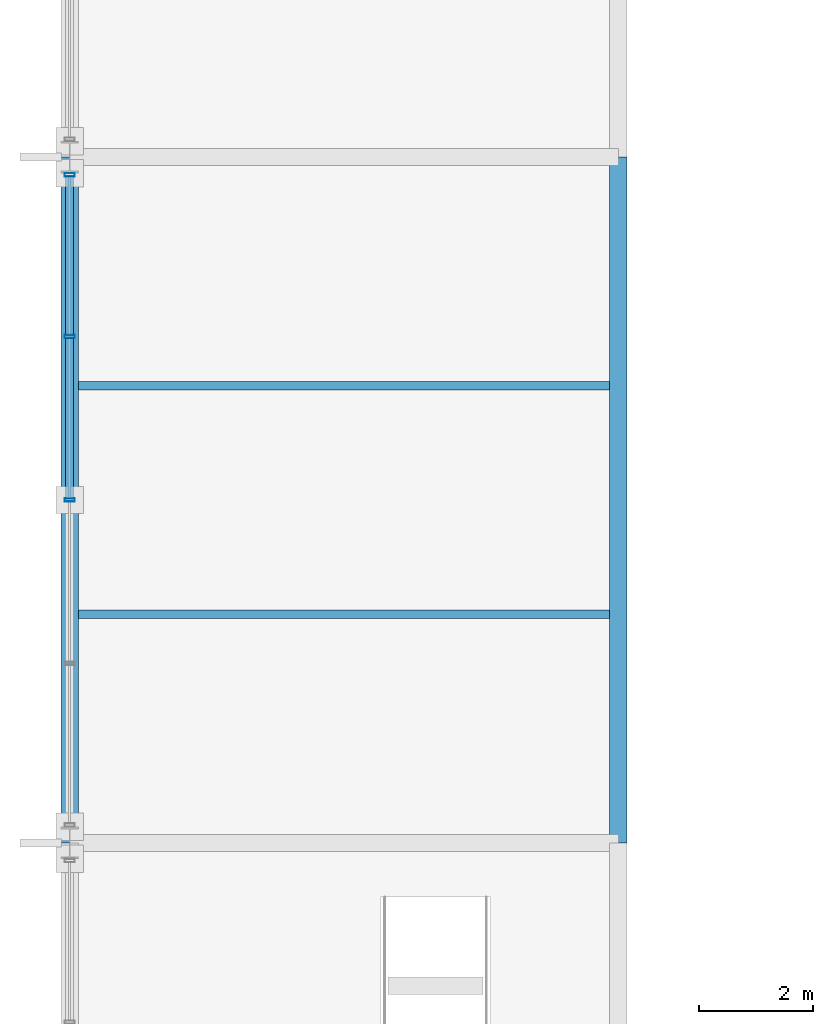
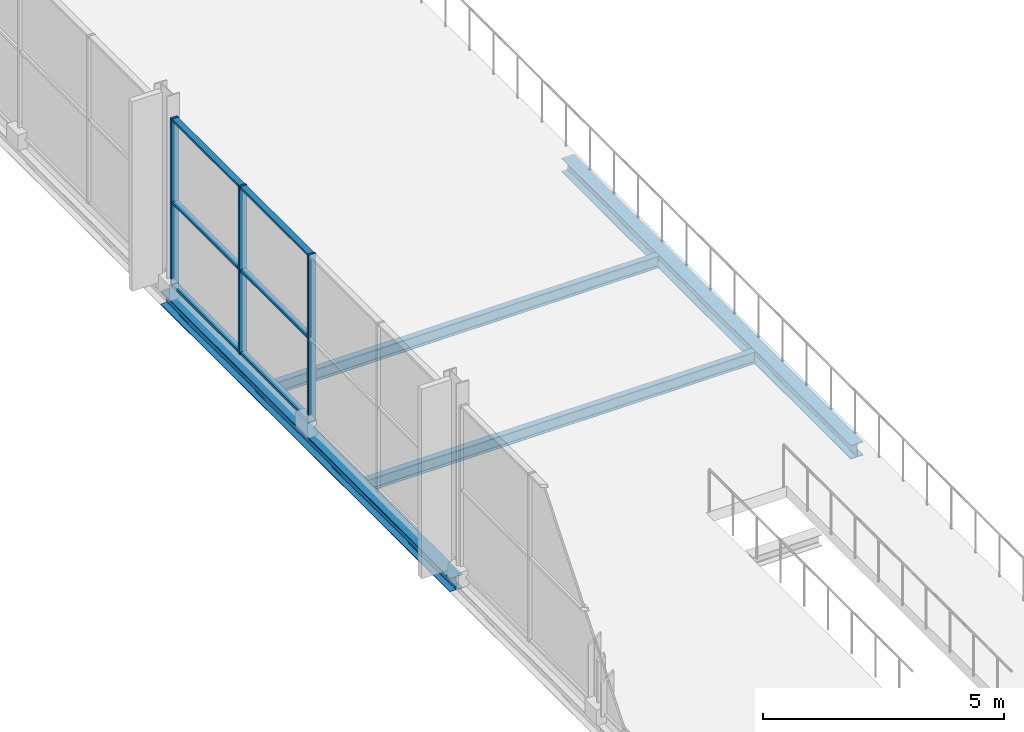
# One storey, part 36 of 159: 9 members, 4 beams, 1 element without a shape of its own.
"""IFC4 building model written with IfcOpenShell, lengths in metres."""

import ifcopenshell
import ifcopenshell.guid

model = None  # the IFC model being written
_history = None  # IfcOwnerHistory: only IFC2X3 demands one
_inside = {}  # id of a spatial element -> (the spatial element, [elements in it])
_under = {}  # id of a project, library or spatial element -> (it, [spatial elements below it])
_declared = {}  # id of a project -> (the project, [libraries it declares])
_typed = {}  # id of a type object -> (the type object, [elements of that type])
_made_of = {}  # id of a material, layer set ... -> (it, [elements and type objects made of it])


def new_model(schema):
    """Start an empty IFC model of exactly this schema.

    Asked for "IFC4X3", IfcOpenShell would pick the latest addendum, in which some entities
    have other attributes; the version numbers below select the first issue.
    IFC2X3 requires an IfcOwnerHistory on every rooted entity: one is made here for all.
    """
    global model, _history
    if schema == "IFC4X3":
        model = ifcopenshell.file(schema_version=(4, 3, 0, 0))
    else:
        model = ifcopenshell.file(schema=schema)
    _inside.clear()
    _under.clear()
    _declared.clear()
    _typed.clear()
    _made_of.clear()
    _history = None
    if model.schema == "IFC2X3":
        org = make("IfcOrganization", Name="unknown")
        user = make(
            "IfcPersonAndOrganization",
            ThePerson=make("IfcPerson", FamilyName="unknown"),
            TheOrganization=org,
        )
        app = make(
            "IfcApplication",
            ApplicationDeveloper=org,
            Version="unknown",
            ApplicationFullName="unknown",
            ApplicationIdentifier="unknown",
        )
        _history = make(
            "IfcOwnerHistory",
            OwningUser=user,
            OwningApplication=app,
            ChangeAction="ADDED",
            CreationDate=0,
        )
    return model


def make(cls, **values):
    """One entity of the class cls with the attributes given. An attribute that is None is left unset."""
    return model.create_entity(
        cls, **{name: value for name, value in values.items() if value is not None}
    )


def rooted(cls, **values):
    """An entity with a GlobalId (a new one), such as an element, a storey or a relation."""
    return make(cls, GlobalId=ifcopenshell.guid.new(), OwnerHistory=_history, **values)


def si_unit(unit_type, name, prefix=None):
    """IfcSIUnit, for example si_unit("LENGTHUNIT", "METRE", prefix="MILLI")."""
    return make("IfcSIUnit", UnitType=unit_type, Prefix=prefix, Name=name)


def assignment(units):
    """IfcUnitAssignment: the units of a project."""
    return None if units is None else make("IfcUnitAssignment", Units=units)


def point(xyz):
    """IfcCartesianPoint."""
    return None if xyz is None else make("IfcCartesianPoint", Coordinates=xyz)


def direction(xyz):
    """IfcDirection."""
    return None if xyz is None else make("IfcDirection", DirectionRatios=xyz)


def frame(location, z_axis=None, x_axis=None):
    """IfcAxis2Placement3D, a coordinate frame: its origin and axes. An axis left out is left unset."""
    return make(
        "IfcAxis2Placement3D",
        Location=point(location),
        Axis=direction(z_axis),
        RefDirection=direction(x_axis),
    )


def frame_2d(location, x_axis=None):
    """IfcAxis2Placement2D, a coordinate frame in the plane: its origin and x axis."""
    return make(
        "IfcAxis2Placement2D", Location=point(location), RefDirection=direction(x_axis)
    )


def origin():
    """The frame at (0, 0, 0) with its axes left unset."""
    return frame((0.0, 0.0, 0.0))


def origin_2d():
    """The frame at (0, 0) in the plane with its x axis left unset."""
    return frame_2d((0.0, 0.0))


def place(relative_to, where):
    """IfcLocalPlacement: puts the frame where relative to a parent placement (None: the world)."""
    return make(
        "IfcLocalPlacement", PlacementRelTo=relative_to, RelativePlacement=where
    )


def context(
    kind, dimensions, precision=None, world=None, true_north=None, identifier=None
):
    """IfcGeometricRepresentationContext, for example the 3D "Model" context."""
    return make(
        "IfcGeometricRepresentationContext",
        ContextIdentifier=identifier,
        ContextType=kind,
        CoordinateSpaceDimension=dimensions,
        Precision=precision,
        WorldCoordinateSystem=world,
        TrueNorth=true_north,
    )


def subcontext(parent, identifier, kind, view, scale=None):
    """IfcGeometricRepresentationSubContext, for example "Body" below "Model"."""
    return make(
        "IfcGeometricRepresentationSubContext",
        ContextIdentifier=identifier,
        ContextType=kind,
        ParentContext=parent,
        TargetScale=scale,
        TargetView=view,
    )


def project(units=None, contexts=None):
    """IfcProject with its units and contexts."""
    return rooted(
        "IfcProject",
        Name="project",
        RepresentationContexts=contexts,
        UnitsInContext=assignment(units),
    )


def spatial(cls, under=None, at=None, **own):
    """A site, building, storey or space (cls), placed at a placement, below another one or the project."""
    s = rooted(cls, ObjectPlacement=at, **own)
    if under is not None:
        _under.setdefault(under.id(), (under, []))[1].append(s)
    return s


def profile(cls, at=None, kind="AREA", **sizes):
    """A parametric profile (cls). Its sizes go by their IFC names, for example OverallWidth=200.0."""
    return make(cls, ProfileType=kind, Position=at, **sizes)


def hollow_rectangle(**sizes):
    """IfcRectangleHollowProfileDef."""
    return profile("IfcRectangleHollowProfileDef", **sizes)


def i_section(**sizes):
    """IfcIShapeProfileDef."""
    return profile("IfcIShapeProfileDef", **sizes)


def extrude(swept, where, along, depth):
    """IfcExtrudedAreaSolid: the profile swept, set in the frame where, extruded along a direction by depth."""
    return make(
        "IfcExtrudedAreaSolid",
        SweptArea=swept,
        Position=where,
        ExtrudedDirection=direction(along),
        Depth=depth,
    )


def shape(context_of_items, identifier, shape_type, items):
    """IfcShapeRepresentation: the items that make up one representation, for example the "Body"."""
    return make(
        "IfcShapeRepresentation",
        ContextOfItems=context_of_items,
        RepresentationIdentifier=identifier,
        RepresentationType=shape_type,
        Items=items,
    )


def material(Name=None, Category=None):
    """IfcMaterial."""
    return make("IfcMaterial", Name=Name, Category=Category)


def material_profile(
    of_material, cross_section, Name=None, Category=None, Priority=None
):
    """IfcMaterialProfile: a cross section and its material."""
    return make(
        "IfcMaterialProfile",
        Name=Name,
        Material=of_material,
        Profile=cross_section,
        Priority=Priority,
        Category=Category,
    )


def profile_set(profiles, Name=None, composite=None):
    """IfcMaterialProfileSet."""
    return make(
        "IfcMaterialProfileSet",
        Name=Name,
        MaterialProfiles=profiles,
        CompositeProfile=composite,
    )


def made_of(thing, what):
    """Note that an element or type object is made of a material, layer set ...; save() writes the relation."""
    if what is not None:
        _made_of.setdefault(what.id(), (what, []))[1].append(thing)
    return thing


def type_object(cls, material=None, **own):
    """A type object (cls), such as IfcWallType, which elements share."""
    return made_of(rooted(cls, **own), material)


def element(
    cls,
    number,
    at=None,
    inside=None,
    cuts=None,
    type_object=None,
    material=None,
    context=None,
    identifier="Body",
    shape_type=None,
    held_by="IfcProductDefinitionShape",
    body=None,
    shapes=None,
    **own,
):
    """One element of the class cls, such as IfcWall. Its Tag is "e" and its number.

    at: its placement. inside: the storey or other place that contains it. cuts: it is an
    opening in that element (IfcRelVoidsElement). A single representation is given by context,
    identifier, shape_type and body (its items); several are given by shapes. held_by: the class
    of the entity that holds the representations. save() writes the other relations.
    """
    e = rooted(cls, Tag="e%d" % number, ObjectPlacement=at, **own)
    if body is not None:
        shapes = [shape(context, identifier, shape_type, body)]
    if shapes is not None:
        e.Representation = make(held_by, Representations=shapes)
    if inside is not None:
        _inside.setdefault(inside.id(), (inside, []))[1].append(e)
    if cuts is not None:
        rooted(
            "IfcRelVoidsElement", RelatingBuildingElement=cuts, RelatedOpeningElement=e
        )
    if type_object is not None:
        _typed.setdefault(type_object.id(), (type_object, []))[1].append(e)
    return made_of(e, material)


def aggregate(whole, parts):
    """IfcRelAggregates: a whole, such as a stair, and the parts it consists of."""
    return rooted("IfcRelAggregates", RelatingObject=whole, RelatedObjects=parts)


def save(model, path):
    """Write the relations noted so far, then the file.

    IfcRelAggregates (storeys below a building ...), IfcRelContainedInSpatialStructure (elements
    in a storey), IfcRelDefinesByType, IfcRelAssociatesMaterial and IfcRelDeclares: one each for
    every whole, place, type object, material and project.
    """
    for whole, parts in _under.values():
        aggregate(whole, parts)
    for where, things in _inside.values():
        rooted(
            "IfcRelContainedInSpatialStructure",
            RelatedElements=things,
            RelatingStructure=where,
        )
    for kind, things in _typed.values():
        rooted("IfcRelDefinesByType", RelatedObjects=things, RelatingType=kind)
    for what, things in _made_of.values():
        rooted("IfcRelAssociatesMaterial", RelatedObjects=things, RelatingMaterial=what)
    for by, libraries in _declared.values():
        rooted("IfcRelDeclares", RelatingContext=by, RelatedDefinitions=libraries)
    model.write(path)


model = new_model("IFC4")

# Units and contexts
model_context = context("Model", 3, precision=1e-05, world=origin(), true_north=direction((0.0, 1.0)))
body_context = subcontext(model_context, "Body", "Model", "MODEL_VIEW")
ifc_project = project(units=[si_unit("LENGTHUNIT", "METRE"), si_unit("AREAUNIT", "SQUARE_METRE"), si_unit("VOLUMEUNIT", "CUBIC_METRE"), si_unit("PLANEANGLEUNIT", "RADIAN"), si_unit("MASSUNIT", "GRAM", prefix="KILO")], contexts=[model_context])

# Site, building, storey
site_placement = place(None, origin())
site = spatial("IfcSite", under=ifc_project, at=site_placement, CompositionType="ELEMENT")
building_placement = place(site_placement, origin())
building = spatial("IfcBuilding", under=site, at=building_placement, Name="Merenkruunu Market Hall", CompositionType="ELEMENT")
storey_placement = place(building_placement, frame((0.0, 0.0, 5.39990234375)))
storey = spatial("IfcBuildingStorey", under=building, at=storey_placement, Name="L01", CompositionType="ELEMENT", Elevation=5.39990234375)

# Curtain wall, members
ifc_material_1 = material(Name="Powder-coated aluminium", Category="aluminium")
curtain_wall_type = type_object("IfcCurtainWallType", Name="Glazed Curtain Wall CW02", PredefinedType="USERDEFINED", material=ifc_material_1)
curtain_wall_placement = place(storey_placement, origin())
curtain_wall = element("IfcCurtainWall", 1, at=curtain_wall_placement, inside=storey, type_object=curtain_wall_type, Name="CW-L01-CWM02-011", ObjectType="GLAZED_FACADE", PredefinedType="USERDEFINED")
ifc_material_profile_1 = material_profile(ifc_material_1, hollow_rectangle(XDim=0.06005859375, YDim=0.179931640625, WallThickness=0.00390625, at=origin_2d()), Name="ALU 60x180x4")
ifc_profile_set_1 = profile_set([ifc_material_profile_1], Name="Powder-coated aluminium")
member_type_1 = type_object("IfcMemberType", Name="Curtain Wall Mullion CWM02", PredefinedType="MULLION", material=ifc_profile_set_1)
member_1_placement = place(storey_placement, frame((0.0, 57.60009765625, 0.0), z_axis=(0.0, 0.0, 1.0), x_axis=(0.0, 1.0, 0.0)))
member_1 = element("IfcMember", 2, at=member_1_placement, type_object=member_type_1, Name="CW02 mullion 3", PredefinedType="MULLION", context=body_context, shape_type="SweptSolid", body=[
    extrude(hollow_rectangle(XDim=0.06005859375, YDim=0.179931640625, WallThickness=0.00390625, at=origin_2d()), origin(), (0.0, 0.0, 1.0), 4.25),
])
member_2_placement = place(storey_placement, frame((0.0, 60.4599609375, 0.0), z_axis=(0.0, 0.0, 1.0), x_axis=(0.0, 1.0, 0.0)))
member_2 = element("IfcMember", 3, at=member_2_placement, type_object=member_type_1, Name="CW02 mullion 4", PredefinedType="MULLION", context=body_context, shape_type="SweptSolid", body=[
    extrude(hollow_rectangle(XDim=0.06005859375, YDim=0.179931640625, WallThickness=0.00390625, at=origin_2d()), origin(), (0.0, 0.0, 1.0), 4.25),
])
member_3_placement = place(storey_placement, frame((0.0, 63.2900390625, 0.0), z_axis=(0.0, 0.0, 1.0), x_axis=(0.0, 1.0, 0.0)))
member_3 = element("IfcMember", 4, at=member_3_placement, type_object=member_type_1, Name="CW02 mullion 5", PredefinedType="MULLION", context=body_context, shape_type="SweptSolid", body=[
    extrude(hollow_rectangle(XDim=0.06005859375, YDim=0.179931640625, WallThickness=0.00390625, at=origin_2d()), origin(), (0.0, 0.0, 1.0), 4.25),
])
ifc_material_profile_2 = material_profile(ifc_material_1, hollow_rectangle(XDim=0.06005859375, YDim=0.139892578125, WallThickness=0.00390625, at=origin_2d()), Name="ALU 60x140x4")
ifc_profile_set_2 = profile_set([ifc_material_profile_2], Name="Powder-coated aluminium")
member_type_2 = type_object("IfcMemberType", Name="Curtain Wall Transom CWT02", PredefinedType="USERDEFINED", material=ifc_profile_set_2)
member_4_placement = place(storey_placement, frame((0.0, 57.6298828125, 0.030029296875), z_axis=(0.0, 1.0, 0.0), x_axis=(0.0, 0.0, 1.0)))
member_4 = element("IfcMember", 5, at=member_4_placement, type_object=member_type_2, Name="CW02 transom 3.1", ObjectType="TRANSOM", PredefinedType="USERDEFINED", context=body_context, shape_type="SweptSolid", body=[
    extrude(hollow_rectangle(XDim=0.06005859375, YDim=0.139892578125, WallThickness=0.00390625, at=origin_2d()), origin(), (0.0, 0.0, 1.0), 2.800048828125),
])
member_5_placement = place(storey_placement, frame((0.0, 57.6298828125, 2.125), z_axis=(0.0, 1.0, 0.0), x_axis=(0.0, 0.0, 1.0)))
member_5 = element("IfcMember", 6, at=member_5_placement, type_object=member_type_2, Name="CW02 transom 3.2", ObjectType="TRANSOM", PredefinedType="USERDEFINED", context=body_context, shape_type="SweptSolid", body=[
    extrude(hollow_rectangle(XDim=0.06005859375, YDim=0.139892578125, WallThickness=0.00390625, at=origin_2d()), origin(), (0.0, 0.0, 1.0), 2.800048828125),
])
member_6_placement = place(storey_placement, frame((0.0, 57.6298828125, 4.22021484375), z_axis=(0.0, 1.0, 0.0), x_axis=(0.0, 0.0, 1.0)))
member_6 = element("IfcMember", 7, at=member_6_placement, type_object=member_type_2, Name="CW02 transom 3.3", ObjectType="TRANSOM", PredefinedType="USERDEFINED", context=body_context, shape_type="SweptSolid", body=[
    extrude(hollow_rectangle(XDim=0.06005859375, YDim=0.139892578125, WallThickness=0.00390625, at=origin_2d()), origin(), (0.0, 0.0, 1.0), 2.800048828125),
])
member_7_placement = place(storey_placement, frame((0.0, 60.489990234375, 0.030029296875), z_axis=(0.0, 1.0, 0.0), x_axis=(0.0, 0.0, 1.0)))
member_7 = element("IfcMember", 8, at=member_7_placement, type_object=member_type_2, Name="CW02 transom 4.1", ObjectType="TRANSOM", PredefinedType="USERDEFINED", context=body_context, shape_type="SweptSolid", body=[
    extrude(hollow_rectangle(XDim=0.06005859375, YDim=0.139892578125, WallThickness=0.00390625, at=origin_2d()), origin(), (0.0, 0.0, 1.0), 2.77001953125),
])
member_8_placement = place(storey_placement, frame((0.0, 60.489990234375, 2.125), z_axis=(0.0, 1.0, 0.0), x_axis=(0.0, 0.0, 1.0)))
member_8 = element("IfcMember", 9, at=member_8_placement, type_object=member_type_2, Name="CW02 transom 4.2", ObjectType="TRANSOM", PredefinedType="USERDEFINED", context=body_context, shape_type="SweptSolid", body=[
    extrude(hollow_rectangle(XDim=0.06005859375, YDim=0.139892578125, WallThickness=0.00390625, at=origin_2d()), origin(), (0.0, 0.0, 1.0), 2.77001953125),
])
member_9_placement = place(storey_placement, frame((0.0, 60.489990234375, 4.22021484375), z_axis=(0.0, 1.0, 0.0), x_axis=(0.0, 0.0, 1.0)))
member_9 = element("IfcMember", 10, at=member_9_placement, type_object=member_type_2, Name="CW02 transom 4.3", ObjectType="TRANSOM", PredefinedType="USERDEFINED", context=body_context, shape_type="SweptSolid", body=[
    extrude(hollow_rectangle(XDim=0.06005859375, YDim=0.139892578125, WallThickness=0.00390625, at=origin_2d()), origin(), (0.0, 0.0, 1.0), 2.77001953125),
])
aggregate(curtain_wall, [member_1, member_2, member_3, member_4, member_5, member_6, member_7, member_8, member_9])

# Beams
ifc_material_2 = material(Name="Steel S355J2", Category="steel")
ifc_material_profile_3 = material_profile(ifc_material_2, i_section(OverallWidth=0.300048828125, OverallDepth=0.35009765625, WebThickness=0.010009765625, FlangeThickness=0.017578125, FilletRadius=0.027099609375, at=origin_2d()), Name="HEA 360")
ifc_profile_set_3 = profile_set([ifc_material_profile_3], Name="Steel S355J2")
beam_type_1 = type_object("IfcBeamType", Name="Primary Floor Girder B08", PredefinedType="BEAM", material=ifc_profile_set_3)
for number, where, z_axis, x_axis, name in (
    (11, (0.0, 51.60009765625, -0.454833984375), (0.0, 1.0, 0.0), (-1.0, 0.0, 0.0), "BM-L01-B08-0555"),
    (12, (9.60009765625, 51.60009765625, -0.454833984375), (0.0, 1.0, 0.0), (-1.0, 0.0, 0.0), "BM-L01-B08-0563"),
):
    element("IfcBeam", number, at=place(storey_placement, frame(where, z_axis=z_axis, x_axis=x_axis)), inside=storey, type_object=beam_type_1, Name=name, PredefinedType="BEAM", context=body_context, shape_type="SweptSolid", body=[
        extrude(i_section(OverallWidth=0.300048828125, OverallDepth=0.35009765625, WebThickness=0.010009765625, FlangeThickness=0.017578125, FilletRadius=0.027099609375, at=origin_2d()), origin(), (0.0, 0.0, 1.0), 12.0),
    ])
ifc_material_profile_4 = material_profile(ifc_material_2, i_section(OverallWidth=0.14990234375, OverallDepth=0.300048828125, WebThickness=0.007080078125, FlangeThickness=0.0107421875, FilletRadius=0.014892578125, at=origin_2d()), Name="IPE 300")
ifc_profile_set_4 = profile_set([ifc_material_profile_4], Name="Steel S355J2")
beam_type_2 = type_object("IfcBeamType", Name="Secondary Floor Joist J04", PredefinedType="JOIST", material=ifc_profile_set_4)
for number, where, z_axis, x_axis, name in (
    (13, (0.153076171875, 55.60009765625, -0.429931640625), (1.0, 0.0, 0.0), (0.0, 1.0, 0.0), "BM-L01-J04-0652"),
    (14, (0.153076171875, 59.60009765625, -0.429931640625), (1.0, 0.0, 0.0), (0.0, 1.0, 0.0), "BM-L01-J04-0653"),
):
    element("IfcBeam", number, at=place(storey_placement, frame(where, z_axis=z_axis, x_axis=x_axis)), inside=storey, type_object=beam_type_2, Name=name, PredefinedType="JOIST", context=body_context, shape_type="SweptSolid", body=[
        extrude(i_section(OverallWidth=0.14990234375, OverallDepth=0.300048828125, WebThickness=0.007080078125, FlangeThickness=0.0107421875, FilletRadius=0.014892578125, at=origin_2d()), origin(), (0.0, 0.0, 1.0), 9.2939453125),
    ])

save(model, "model.ifc")
